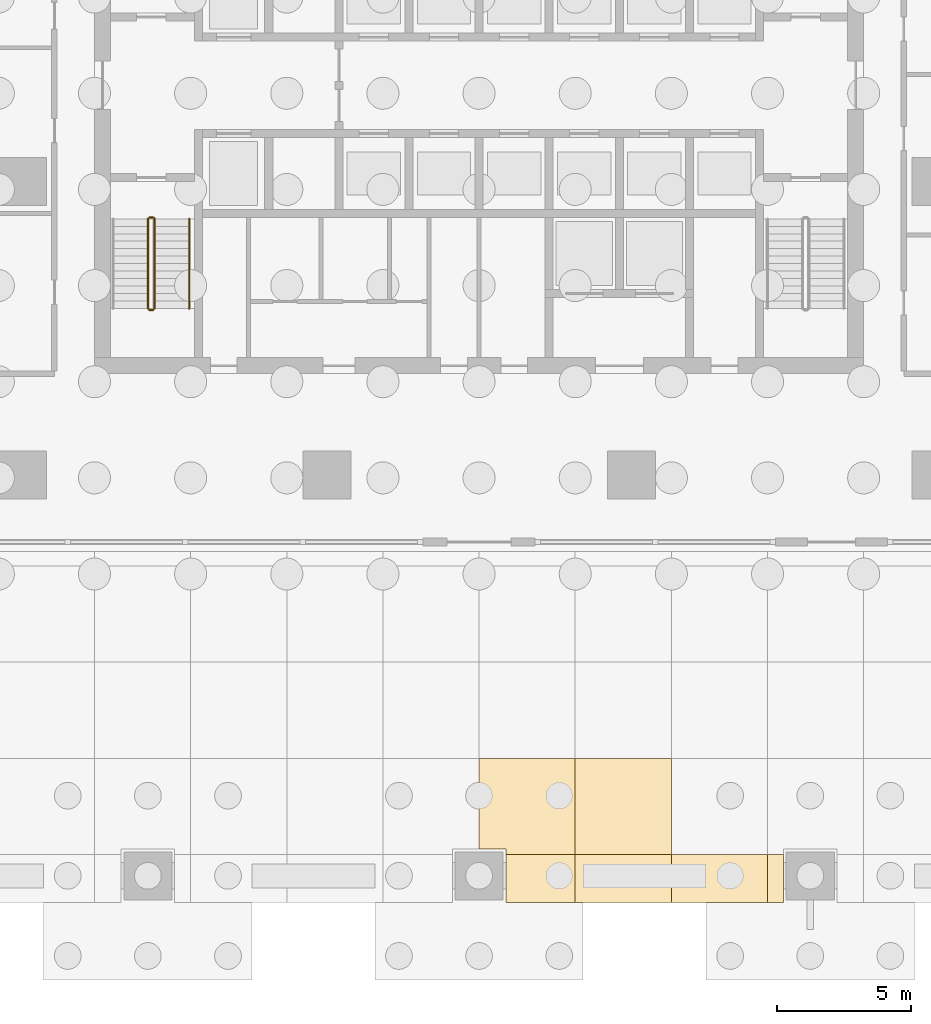
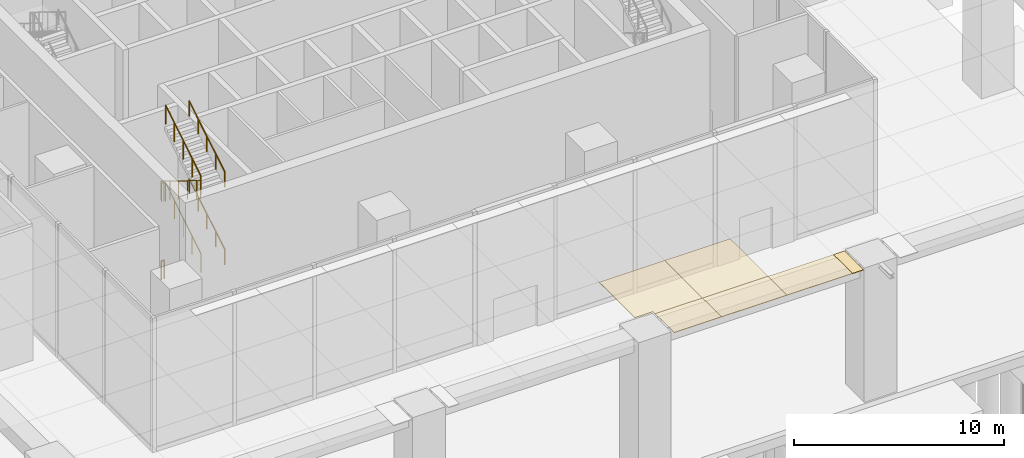
# One storey, part 12 of 18: 6 coverings, 6 railings.
"""IFC4 building model written with IfcOpenShell, lengths in metres."""

from ifc_helpers import new_model, si_unit, direction, frame, origin, origin_2d, place, context, subcontext, project, spatial, polyline, circle, outline, extrude, material, layer, layer_set, type_object, element, save


model = new_model("IFC4")

# Units and contexts
model_context = context("Model", 3, precision=1e-05, world=origin(), true_north=direction((0.0, 1.0)))
body_context = subcontext(model_context, "Body", "Model", "MODEL_VIEW")
ifc_project = project(units=[si_unit("LENGTHUNIT", "METRE"), si_unit("AREAUNIT", "SQUARE_METRE"), si_unit("VOLUMEUNIT", "CUBIC_METRE"), si_unit("PLANEANGLEUNIT", "RADIAN"), si_unit("MASSUNIT", "GRAM", prefix="KILO")], contexts=[model_context])

# Site, building, storey
site_placement = place(None, origin())
site = spatial("IfcSite", under=ifc_project, at=site_placement, CompositionType="ELEMENT")
building_placement = place(site_placement, origin())
building = spatial("IfcBuilding", under=site, at=building_placement, Name="Mopane Tessera Tower", CompositionType="ELEMENT")
storey_placement = place(building_placement, origin())
storey = spatial("IfcBuildingStorey", under=building, at=storey_placement, Name="L00", CompositionType="ELEMENT", Elevation=0.0)

# Railings
ifc_material_1 = material(Name="Powder-coated steel balustrade", Category="steel")
railing_type_1 = type_object("IfcRailingType", Name="Escape stair guard 1100 mm", PredefinedType="GUARDRAIL", material=ifc_material_1)
railing_1_placement = place(storey_placement, frame((-12.14990234375, -4.760009765625, 2.423095703125)))
element("IfcRailing", 1, at=railing_1_placement, inside=storey, type_object=railing_type_1, Name="L00 ST1 stair guard 2", PredefinedType="GUARDRAIL", context=body_context, shape_type="SweptSolid", body=[
    extrude(circle(Radius=0.02392578125, at=origin_2d()), frame((0.0, 0.0, 1.076171875), z_axis=(0.0, 0.850623216509, 0.525775754039), x_axis=(-1.0, 0.0, 0.0)), (0.0, 0.0, 1.0), 3.9501953125),
    extrude(circle(Radius=0.02392578125, at=origin_2d()), frame((0.0, 3.360107421875, 3.15283203125), z_axis=(-0.708833529934, 0.705375805398, 0.0), x_axis=(-0.705375805398, -0.708833529934, 0.0)), (0.0, 0.0, 1.0), 0.070556640625),
    extrude(circle(Radius=0.02392578125, at=origin_2d()), frame((-0.050048828125, 3.409912109375, 3.15283203125), z_axis=(-1.0, 0.0, 0.0), x_axis=(0.0, -1.0, 0.0)), (0.0, 0.0, 1.0), 0.150146484375),
    extrude(circle(Radius=0.02099609375, at=origin_2d()), origin(), (0.0, 0.0, 1.0), 1.052001953125),
    extrude(circle(Radius=0.02099609375, at=origin_2d()), frame((0.0, 0.840087890625, 0.519287109375)), (0.0, 0.0, 1.0), 1.052001953125),
    extrude(circle(Radius=0.02099609375, at=origin_2d()), frame((0.0, 1.68017578125, 1.03857421875)), (0.0, 0.0, 1.0), 1.052001953125),
    extrude(circle(Radius=0.02099609375, at=origin_2d()), frame((0.0, 2.52001953125, 1.5576171875)), (0.0, 0.0, 1.0), 1.052001953125),
    extrude(circle(Radius=0.02099609375, at=origin_2d()), frame((0.0, 3.360107421875, 2.076904296875)), (0.0, 0.0, 1.0), 1.052001953125),
    extrude(circle(Radius=0.02099609375, at=origin_2d()), frame((-0.050048828125, 3.409912109375, 2.076904296875)), (0.0, 0.0, 1.0), 1.052001953125),
    extrude(circle(Radius=0.02099609375, at=origin_2d()), frame((-0.2001953125, 3.409912109375, 2.076904296875)), (0.0, 0.0, 1.0), 1.052001953125),
])
railing_2_placement = place(storey_placement, frame((-12.39990234375, -1.39990234375, 4.673095703125)))
element("IfcRailing", 2, at=railing_2_placement, inside=storey, type_object=railing_type_1, Name="L00 ST1 stair guard 3", PredefinedType="GUARDRAIL", context=body_context, shape_type="SweptSolid", body=[
    extrude(circle(Radius=0.02392578125, at=origin_2d()), frame((0.0, 0.0, 1.076171875), z_axis=(0.0, -0.850623216509, 0.525775754039), x_axis=(1.0, 0.0, 0.0)), (0.0, 0.0, 1.0), 3.9501953125),
    extrude(circle(Radius=0.02392578125, at=origin_2d()), frame((0.0, -3.360107421875, 3.15283203125), z_axis=(0.705375805398, -0.708833529934, 0.0), x_axis=(0.708833529934, 0.705375805398, 0.0)), (0.0, 0.0, 1.0), 0.070556640625),
    extrude(circle(Radius=0.02392578125, at=origin_2d()), frame((0.0498046875, -3.41015625, 3.15283203125), z_axis=(1.0, 0.0, 0.0), x_axis=(0.0, 1.0, 0.0)), (0.0, 0.0, 1.0), 0.150146484375),
    extrude(circle(Radius=0.02099609375, at=origin_2d()), origin(), (0.0, 0.0, 1.0), 1.052001953125),
    extrude(circle(Radius=0.02099609375, at=origin_2d()), frame((0.0, -0.840087890625, 0.519287109375)), (0.0, 0.0, 1.0), 1.052001953125),
    extrude(circle(Radius=0.02099609375, at=origin_2d()), frame((0.0, -1.68017578125, 1.03857421875)), (0.0, 0.0, 1.0), 1.052001953125),
    extrude(circle(Radius=0.02099609375, at=origin_2d()), frame((0.0, -2.52001953125, 1.5576171875)), (0.0, 0.0, 1.0), 1.052001953125),
    extrude(circle(Radius=0.02099609375, at=origin_2d()), frame((0.0, -3.360107421875, 2.076904296875)), (0.0, 0.0, 1.0), 1.052001953125),
    extrude(circle(Radius=0.02099609375, at=origin_2d()), frame((0.0498046875, -3.41015625, 2.076904296875)), (0.0, 0.0, 1.0), 1.052001953125),
    extrude(circle(Radius=0.02099609375, at=origin_2d()), frame((0.199951171875, -3.41015625, 2.076904296875)), (0.0, 0.0, 1.0), 1.052001953125),
])
railing_3_placement = place(storey_placement, frame((-12.14990234375, -4.760009765625, 6.923095703125)))
element("IfcRailing", 3, at=railing_3_placement, inside=storey, type_object=railing_type_1, Name="L00 ST1 stair guard 4", PredefinedType="GUARDRAIL", context=body_context, shape_type="SweptSolid", body=[
    extrude(circle(Radius=0.02392578125, at=origin_2d()), frame((0.0, 0.0, 1.076171875), z_axis=(0.0, 0.850623216509, 0.525775754039), x_axis=(-1.0, 0.0, 0.0)), (0.0, 0.0, 1.0), 3.9501953125),
    extrude(circle(Radius=0.02099609375, at=origin_2d()), origin(), (0.0, 0.0, 1.0), 1.052001953125),
    extrude(circle(Radius=0.02099609375, at=origin_2d()), frame((0.0, 0.840087890625, 0.519287109375)), (0.0, 0.0, 1.0), 1.052001953125),
    extrude(circle(Radius=0.02099609375, at=origin_2d()), frame((0.0, 1.68017578125, 1.03857421875)), (0.0, 0.0, 1.0), 1.052001953125),
    extrude(circle(Radius=0.02099609375, at=origin_2d()), frame((0.0, 2.52001953125, 1.5576171875)), (0.0, 0.0, 1.0), 1.052001953125),
    extrude(circle(Radius=0.02099609375, at=origin_2d()), frame((0.0, 3.360107421875, 2.076904296875)), (0.0, 0.0, 1.0), 1.052001953125),
])
railing_4_placement = place(storey_placement, frame((-12.35009765625, -1.35009765625, 0.0)))
element("IfcRailing", 4, at=railing_4_placement, inside=storey, type_object=railing_type_1, Name="L00 ST1 stair guard 5", PredefinedType="GUARDRAIL", context=body_context, shape_type="SweptSolid", body=[
    extrude(circle(Radius=0.02392578125, at=origin_2d()), frame((0.0, 0.0, 1.076171875), z_axis=(1.0, 0.0, 0.0), x_axis=(0.0, 1.0, 0.0)), (0.0, 0.0, 1.0), 0.150146484375),
    extrude(circle(Radius=0.02099609375, at=origin_2d()), origin(), (0.0, 0.0, 1.0), 1.052001953125),
    extrude(circle(Radius=0.02099609375, at=origin_2d()), frame((0.150146484375, 0.0, 0.0)), (0.0, 0.0, 1.0), 1.052001953125),
])
ifc_material_2 = material(Name="Powder-coated steel balustrade", Category="steel")
railing_type_2 = type_object("IfcRailingType", Name="Escape stair handrail 900 mm", PredefinedType="HANDRAIL", material=ifc_material_2)
for number, where, name in (
    (5, (-10.85009765625, -4.760009765625, 2.423095703125), "L00 ST1 stair handrail 2"),
    (6, (-10.85009765625, -4.760009765625, 6.923095703125), "L00 ST1 stair handrail 4"),
):
    element("IfcRailing", number, at=place(storey_placement, frame(where)), inside=storey, type_object=railing_type_2, Name=name, PredefinedType="HANDRAIL", context=body_context, shape_type="SweptSolid", body=[
        extrude(circle(Radius=0.02392578125, at=origin_2d()), frame((0.0, 0.0, 0.8759765625), z_axis=(0.0, 0.850623216509, 0.525775754039), x_axis=(-1.0, 0.0, 0.0)), (0.0, 0.0, 1.0), 3.9501953125),
        extrude(circle(Radius=0.02099609375, at=origin_2d()), origin(), (0.0, 0.0, 1.0), 0.851806640625),
        extrude(circle(Radius=0.02099609375, at=origin_2d()), frame((0.0, 0.840087890625, 0.519287109375)), (0.0, 0.0, 1.0), 0.851806640625),
        extrude(circle(Radius=0.02099609375, at=origin_2d()), frame((0.0, 1.68017578125, 1.03857421875)), (0.0, 0.0, 1.0), 0.851806640625),
        extrude(circle(Radius=0.02099609375, at=origin_2d()), frame((0.0, 2.52001953125, 1.5576171875)), (0.0, 0.0, 1.0), 0.851806640625),
        extrude(circle(Radius=0.02099609375, at=origin_2d()), frame((0.0, 3.360107421875, 2.076904296875)), (0.0, 0.0, 1.0), 0.851806640625),
    ])

# Coverings
ifc_material_3 = material(Name="Glazed ceramic tile")
ifc_layer = layer(ifc_material_3, 0.030029296875)
ifc_layer_set = layer_set([ifc_layer], Name="Glazed ceramic tile")
covering_type = type_object("IfcCoveringType", Name="Glazed tile soffit panel 3600 x 3600", PredefinedType="CEILING", material=ifc_layer_set)
covering_1_placement = place(storey_placement, frame((0.0, 0.0, 7.77001953125)))
element("IfcCovering", 7, at=covering_1_placement, inside=storey, type_object=covering_type, Name="e:tl:0:-8:0", PredefinedType="CEILING", context=body_context, shape_type="SweptSolid", body=[
    extrude(outline(polyline([(1.0, -27.0), (1.0, -25.199951171875), (3.60009765625, -25.199951171875), (3.60009765625, -27.0), (1.0, -27.0)])), origin(), (0.0, 0.0, 1.0), 0.030029296875),
])
covering_2_placement = place(storey_placement, frame((0.0, 0.0, 7.77001953125)))
element("IfcCovering", 8, at=covering_2_placement, inside=storey, type_object=covering_type, Name="e:tl:0:-7:0", PredefinedType="CEILING", context=body_context, shape_type="SweptSolid", body=[
    extrude(outline(polyline([(1.0, -25.0), (0.0, -25.0), (0.0, -21.60009765625), (3.60009765625, -21.60009765625), (3.60009765625, -25.199951171875), (1.0, -25.199951171875), (1.0, -25.0)])), origin(), (0.0, 0.0, 1.0), 0.030029296875),
])
covering_3_placement = place(storey_placement, frame((0.0, 0.0, 7.77001953125)))
element("IfcCovering", 9, at=covering_3_placement, inside=storey, type_object=covering_type, Name="e:tl:1:-8:0", PredefinedType="CEILING", context=body_context, shape_type="SweptSolid", body=[
    extrude(outline(polyline([(3.60009765625, -27.0), (3.60009765625, -25.199951171875), (7.199951171875, -25.199951171875), (7.199951171875, -27.0), (3.60009765625, -27.0)])), origin(), (0.0, 0.0, 1.0), 0.030029296875),
])
covering_4_placement = place(storey_placement, frame((0.0, 0.0, 7.77001953125)))
element("IfcCovering", 10, at=covering_4_placement, inside=storey, type_object=covering_type, Name="e:tl:1:-7:0", PredefinedType="CEILING", context=body_context, shape_type="SweptSolid", body=[
    extrude(outline(polyline([(3.60009765625, -25.199951171875), (3.60009765625, -21.60009765625), (7.199951171875, -21.60009765625), (7.199951171875, -25.199951171875), (3.60009765625, -25.199951171875)])), origin(), (0.0, 0.0, 1.0), 0.030029296875),
])
covering_5_placement = place(storey_placement, frame((0.0, 0.0, 7.77001953125)))
element("IfcCovering", 11, at=covering_5_placement, inside=storey, type_object=covering_type, Name="e:tl:2:-8:0", PredefinedType="CEILING", context=body_context, shape_type="SweptSolid", body=[
    extrude(outline(polyline([(7.199951171875, -27.0), (7.199951171875, -25.199951171875), (10.800048828125, -25.199951171875), (10.800048828125, -27.0), (7.199951171875, -27.0)])), origin(), (0.0, 0.0, 1.0), 0.030029296875),
])
covering_6_placement = place(storey_placement, frame((0.0, 0.0, 7.77001953125)))
element("IfcCovering", 12, at=covering_6_placement, inside=storey, type_object=covering_type, Name="e:tl:3:-8:1", PredefinedType="CEILING", context=body_context, shape_type="SweptSolid", body=[
    extrude(outline(polyline([(11.39990234375, -27.0), (10.800048828125, -27.0), (10.800048828125, -25.199951171875), (11.39990234375, -25.199951171875), (11.39990234375, -27.0)])), origin(), (0.0, 0.0, 1.0), 0.030029296875),
])

save(model, "model.ifc")
